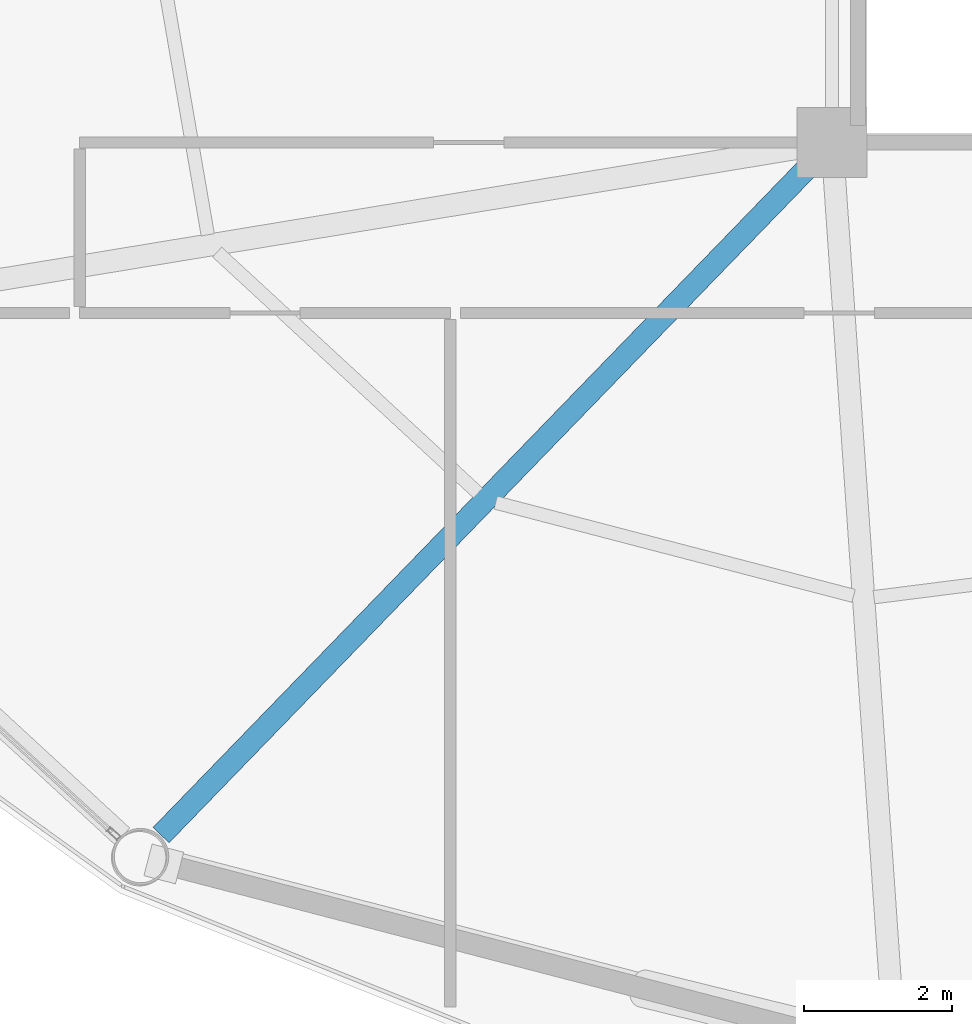
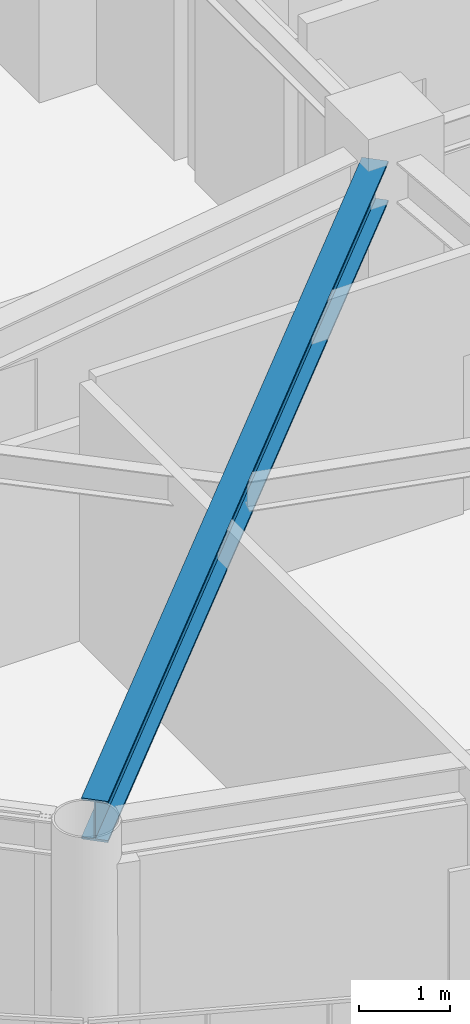
# One storey, part 4 of 26: 1 beam.
"""IFC4 building model written with IfcOpenShell, lengths in metres."""

from ifc_helpers import new_model, si_unit, direction, frame, origin, origin_2d, place, context, subcontext, project, spatial, i_section, extrude, material, material_profile, profile_set, type_object, element, save


model = new_model("IFC4")

# Units and contexts
model_context = context("Model", 3, precision=1e-05, world=origin(), true_north=direction((0.0, 1.0)))
body_context = subcontext(model_context, "Body", "Model", "MODEL_VIEW")
ifc_project = project(units=[si_unit("LENGTHUNIT", "METRE"), si_unit("AREAUNIT", "SQUARE_METRE"), si_unit("VOLUMEUNIT", "CUBIC_METRE"), si_unit("PLANEANGLEUNIT", "RADIAN"), si_unit("MASSUNIT", "GRAM", prefix="KILO")], contexts=[model_context])

# Site, building, storey
site_placement = place(None, origin())
site = spatial("IfcSite", under=ifc_project, at=site_placement, CompositionType="ELEMENT")
building_placement = place(site_placement, origin())
building = spatial("IfcBuilding", under=site, at=building_placement, Name="Varnakorn Sky Granary", CompositionType="ELEMENT")
storey_placement = place(building_placement, frame((0.0, 0.0, 165.60009765625)))
storey = spatial("IfcBuildingStorey", under=building, at=storey_placement, Name="L41", CompositionType="ELEMENT", Elevation=165.60009765625)

# Beam
ifc_material = material(Name="Steel S355JR", Category="steel")
ifc_material_profile = material_profile(ifc_material, i_section(OverallWidth=0.300048828125, OverallDepth=0.550048828125, WebThickness=0.014892578125, FlangeThickness=0.029052734375, at=origin_2d()), Name="HE 550 B")
ifc_profile_set = profile_set([ifc_material_profile], Name="Steel S355JR")
beam_type = type_object("IfcBeamType", Name="BM-RAD-Z3", PredefinedType="BEAM", material=ifc_profile_set)
beam_placement = place(storey_placement, frame((-2.64208984375, -6.901611328125, 3.1748046875), z_axis=(-0.695800529817, -0.718235074823, 0.0), x_axis=(0.718235074823, -0.695800529817, 0.0)))
element("IfcBeam", 1, at=beam_placement, inside=storey, type_object=beam_type, Name="Radial Floor Girder RG09 L41", PredefinedType="BEAM", context=body_context, shape_type="SweptSolid", body=[
    extrude(i_section(OverallWidth=0.300048828125, OverallDepth=0.550048828125, WebThickness=0.014892578125, FlangeThickness=0.029052734375, at=origin_2d()), origin(), (0.0, 0.0, 1.0), 12.5908203125),
])

save(model, "model.ifc")
